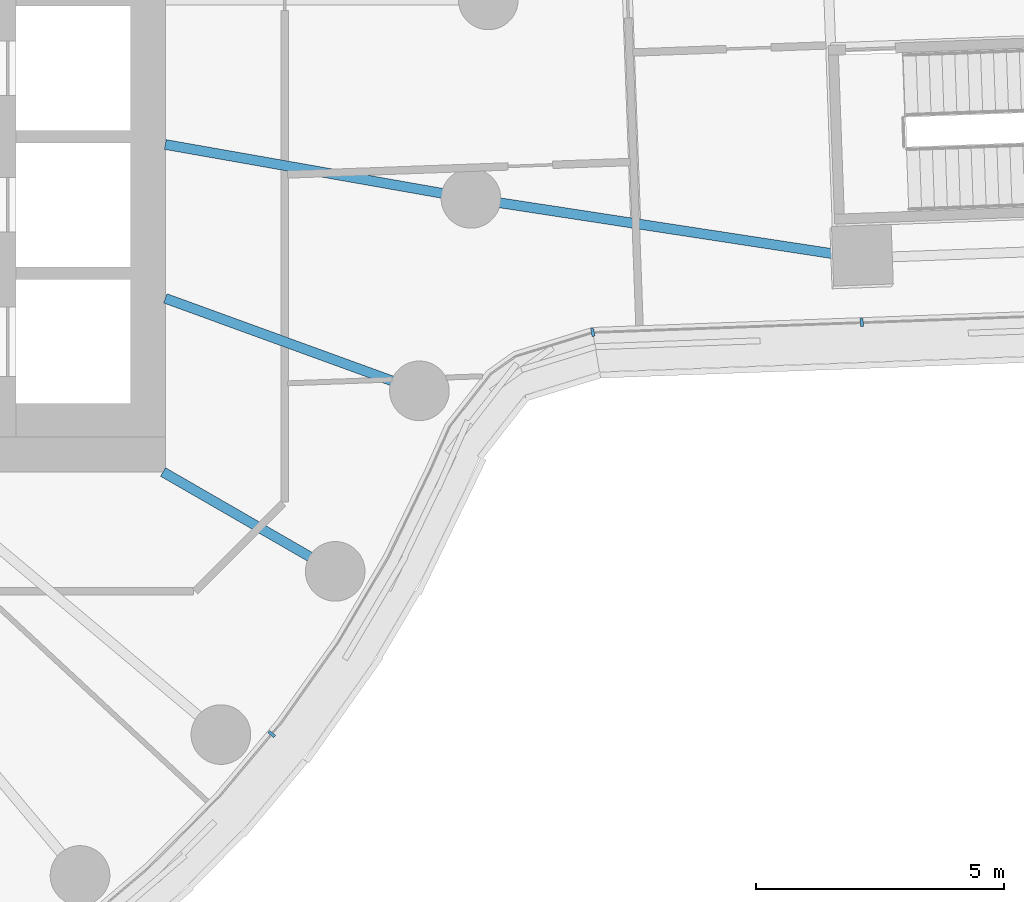
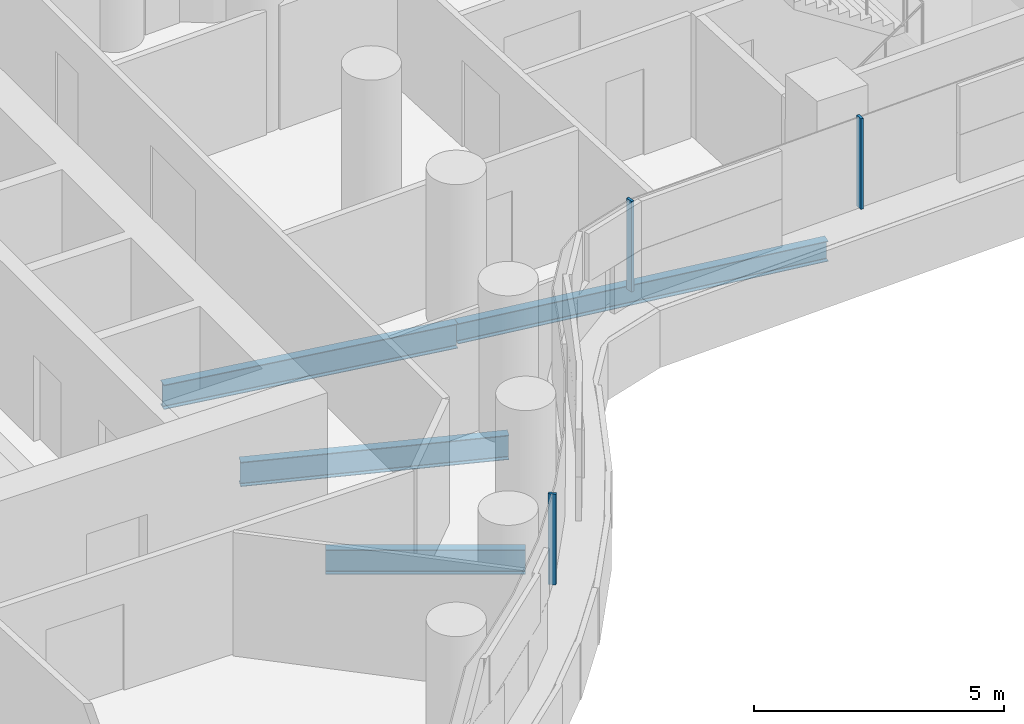
# One storey, part 9 of 31: 4 beams, 3 members, 2 elements without a shape of their own.
"""IFC4 building model written with IfcOpenShell, lengths in metres."""

from ifc_helpers import new_model, si_unit, direction, frame, origin, origin_2d, place, context, subcontext, project, spatial, rectangle, i_section, extrude, material, layer, layer_set, material_profile, profile_set, type_object, element, aggregate, save


model = new_model("IFC4")

# Units and contexts
model_context = context("Model", 3, precision=1e-05, world=origin(), true_north=direction((0.0, 1.0)))
body_context = subcontext(model_context, "Body", "Model", "MODEL_VIEW")
ifc_project = project(units=[si_unit("LENGTHUNIT", "METRE"), si_unit("AREAUNIT", "SQUARE_METRE"), si_unit("VOLUMEUNIT", "CUBIC_METRE"), si_unit("PLANEANGLEUNIT", "RADIAN"), si_unit("MASSUNIT", "GRAM", prefix="KILO")], contexts=[model_context])

# Site, building, storey
site_placement = place(None, origin())
site = spatial("IfcSite", under=ifc_project, at=site_placement, CompositionType="ELEMENT")
building_placement = place(site_placement, origin())
building = spatial("IfcBuilding", under=site, at=building_placement, Name="Tamarind Cross Interchange Tower", CompositionType="ELEMENT")
storey_placement = place(building_placement, frame((0.0, 0.0, 41.5)))
storey = spatial("IfcBuildingStorey", under=building, at=storey_placement, Name="L08", CompositionType="ELEMENT", Elevation=41.5)

# Beams
ifc_material_1 = material(Name="Steel Q355B", Category="steel")
ifc_material_profile_1 = material_profile(ifc_material_1, i_section(OverallWidth=0.198974609375, OverallDepth=0.49609375, WebThickness=0.009033203125, FlangeThickness=0.013916015625, FilletRadius=0.012939453125, at=origin_2d()), Name="HN 496x199x9x14")
ifc_profile_set_1 = profile_set([ifc_material_profile_1], Name="Steel Q355B")
beam_type_1 = type_object("IfcBeamType", Name="Composite beam HN 496x199x9x14 Q355B", PredefinedType="BEAM", material=ifc_profile_set_1)
beam_1_placement = place(storey_placement, frame((30.4951171875, -5.193603515625, -0.387939453125), z_axis=(-0.988506459327, 0.151178635621, 0.0), x_axis=(-0.151178635621, -0.988506459327, 0.0)))
element("IfcBeam", 1, at=beam_1_placement, inside=storey, type_object=beam_type_1, Name="Beam E-linkem", PredefinedType="BEAM", context=body_context, shape_type="SweptSolid", body=[
    extrude(i_section(OverallWidth=0.198974609375, OverallDepth=0.49609375, WebThickness=0.009033203125, FlangeThickness=0.013916015625, FilletRadius=0.012939453125, at=origin_2d()), origin(), (0.0, 0.0, 1.0), 7.935791015625),
])
ifc_material_profile_2 = material_profile(ifc_material_1, i_section(OverallWidth=0.198974609375, OverallDepth=0.595947265625, WebThickness=0.010009765625, FlangeThickness=0.014892578125, FilletRadius=0.012939453125, at=origin_2d()), Name="HN 596x199x10x15")
ifc_profile_set_2 = profile_set([ifc_material_profile_2], Name="Steel Q355B")
beam_type_2 = type_object("IfcBeamType", Name="Composite beam HN 596x199x10x15 Q355B", PredefinedType="BEAM", material=ifc_profile_set_2)
beam_2_placement = place(storey_placement, frame((19.918701171875, -11.5, -0.43798828125), z_axis=(-0.866026010844, 0.49999894854, 0.0), x_axis=(-0.49999894854, -0.866026010844, 0.0)))
element("IfcBeam", 2, at=beam_2_placement, inside=storey, type_object=beam_type_2, Name="Beam HH33", PredefinedType="BEAM", context=body_context, shape_type="SweptSolid", body=[
    extrude(i_section(OverallWidth=0.198974609375, OverallDepth=0.595947265625, WebThickness=0.010009765625, FlangeThickness=0.014892578125, FilletRadius=0.012939453125, at=origin_2d()), origin(), (0.0, 0.0, 1.0), 4.0),
])
beam_3_placement = place(storey_placement, frame((21.613037109375, -7.866455078125, -0.43798828125), z_axis=(-0.939701685589, 0.341995236956, 0.0), x_axis=(-0.341995236956, -0.939701685589, 0.0)))
element("IfcBeam", 3, at=beam_3_placement, inside=storey, type_object=beam_type_2, Name="Beam HH34", PredefinedType="BEAM", context=body_context, shape_type="SweptSolid", body=[
    extrude(i_section(OverallWidth=0.198974609375, OverallDepth=0.595947265625, WebThickness=0.010009765625, FlangeThickness=0.014892578125, FilletRadius=0.012939453125, at=origin_2d()), origin(), (0.0, 0.0, 1.0), 5.441162109375),
])
beam_4_placement = place(storey_placement, frame((22.650634765625, -3.993896484375, -0.43798828125), z_axis=(-0.984809127561, 0.173640382036, 0.0), x_axis=(-0.173640382036, -0.984809127561, 0.0)))
element("IfcBeam", 4, at=beam_4_placement, inside=storey, type_object=beam_type_2, Name="Beam HH35", PredefinedType="BEAM", context=body_context, shape_type="SweptSolid", body=[
    extrude(i_section(OverallWidth=0.198974609375, OverallDepth=0.595947265625, WebThickness=0.010009765625, FlangeThickness=0.014892578125, FilletRadius=0.012939453125, at=origin_2d()), origin(), (0.0, 0.0, 1.0), 6.24560546875),
])

# Curtain wall, member
ifc_material_2 = material(Name="Aluminium 6063-T6", Category="aluminium")
ifc_layer = layer(ifc_material_2, 0.159912109375)
ifc_layer_set = layer_set([ifc_layer], Name="Aluminium 6063-T6")
curtain_wall_type = type_object("IfcCurtainWallType", Name="Office curtain wall, 9.0 m bays", PredefinedType="NOTDEFINED", material=ifc_layer_set)
curtain_wall_1_placement = place(storey_placement, origin())
curtain_wall_1 = element("IfcCurtainWall", 5, at=curtain_wall_1_placement, inside=storey, type_object=curtain_wall_type, Name="CWS-L08-06", PredefinedType="NOTDEFINED")
ifc_material_profile_3 = material_profile(ifc_material_2, rectangle(XDim=0.06005859375, YDim=0.159912109375, at=origin_2d()), Name="Mullion CW1")
ifc_profile_set_3 = profile_set([ifc_material_profile_3], Name="Aluminium 6063-T6")
member_type = type_object("IfcMemberType", Name="Mullion CW1", PredefinedType="MULLION", material=ifc_profile_set_3)
member_1_placement = place(storey_placement, frame((18.640625, -14.7734375, 1.39990234375), z_axis=(0.0, 0.0, 1.0), x_axis=(0.643009266048, 0.765858396687, 0.0)))
member_1 = element("IfcMember", 6, at=member_1_placement, type_object=member_type, Name="CWM-L08-06-02", PredefinedType="MULLION", context=body_context, shape_type="SweptSolid", body=[
    extrude(rectangle(XDim=0.06005859375, YDim=0.159912109375, at=origin_2d()), origin(), (0.0, 0.0, 1.0), 2.210205078125),
])
aggregate(curtain_wall_1, [member_1])

# Curtain wall, members
curtain_wall_2_placement = place(storey_placement, origin())
curtain_wall_2 = element("IfcCurtainWall", 7, at=curtain_wall_2_placement, inside=storey, type_object=curtain_wall_type, Name="CWS-L08-07", PredefinedType="NOTDEFINED")
member_2_placement = place(storey_placement, frame((25.1025390625, -6.69140625, 1.39990234375), z_axis=(0.0, 0.0, 1.0), x_axis=(0.985846612126, 0.167649805724, 0.0)))
member_2 = element("IfcMember", 8, at=member_2_placement, type_object=member_type, Name="CWM-L08-07-00", PredefinedType="MULLION", context=body_context, shape_type="SweptSolid", body=[
    extrude(rectangle(XDim=0.06005859375, YDim=0.159912109375, at=origin_2d()), origin(), (0.0, 0.0, 1.0), 2.210205078125),
])
member_3_placement = place(storey_placement, frame((30.515869140625, -6.493896484375, 1.39990234375), z_axis=(0.0, 0.0, 1.0), x_axis=(0.999335028671, 0.036462315768, 0.0)))
member_3 = element("IfcMember", 9, at=member_3_placement, type_object=member_type, Name="CWM-L08-07-01", PredefinedType="MULLION", context=body_context, shape_type="SweptSolid", body=[
    extrude(rectangle(XDim=0.06005859375, YDim=0.159912109375, at=origin_2d()), origin(), (0.0, 0.0, 1.0), 2.210205078125),
])
aggregate(curtain_wall_2, [member_2, member_3])

save(model, "model.ifc")
